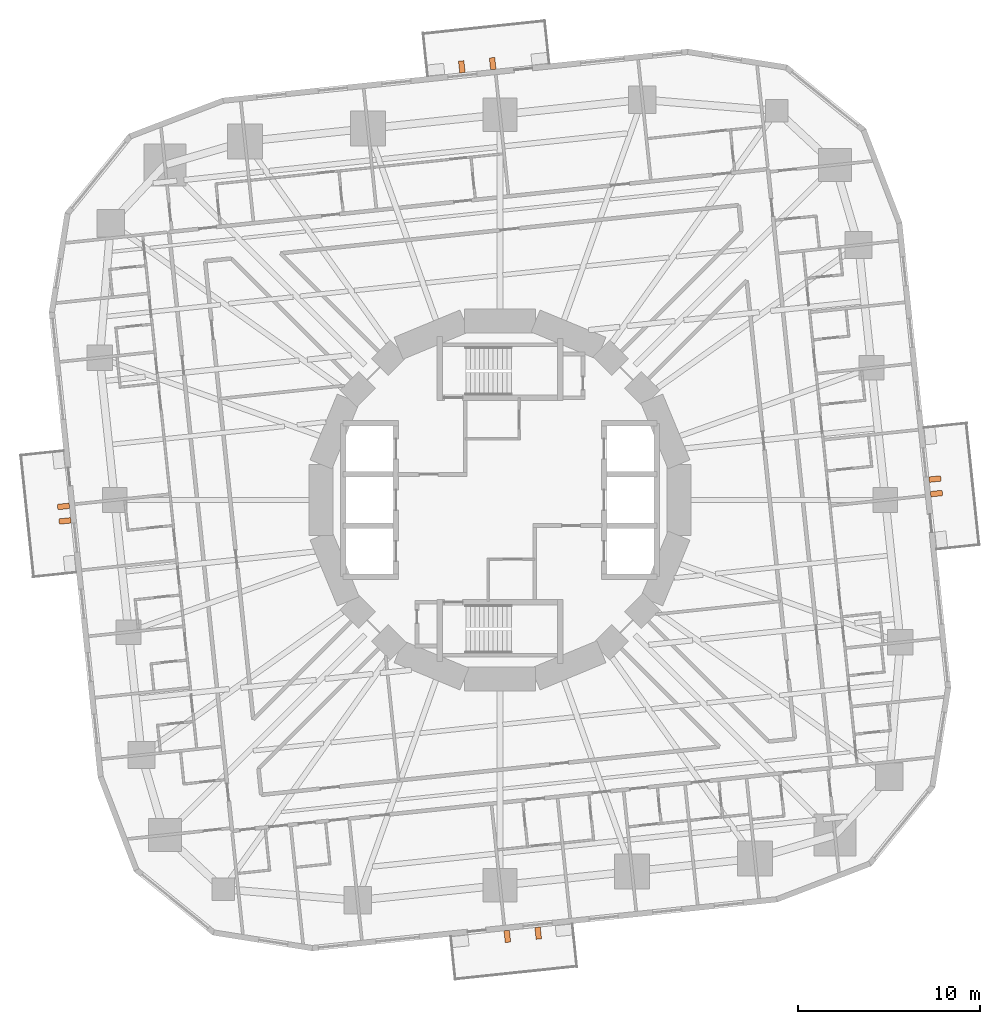
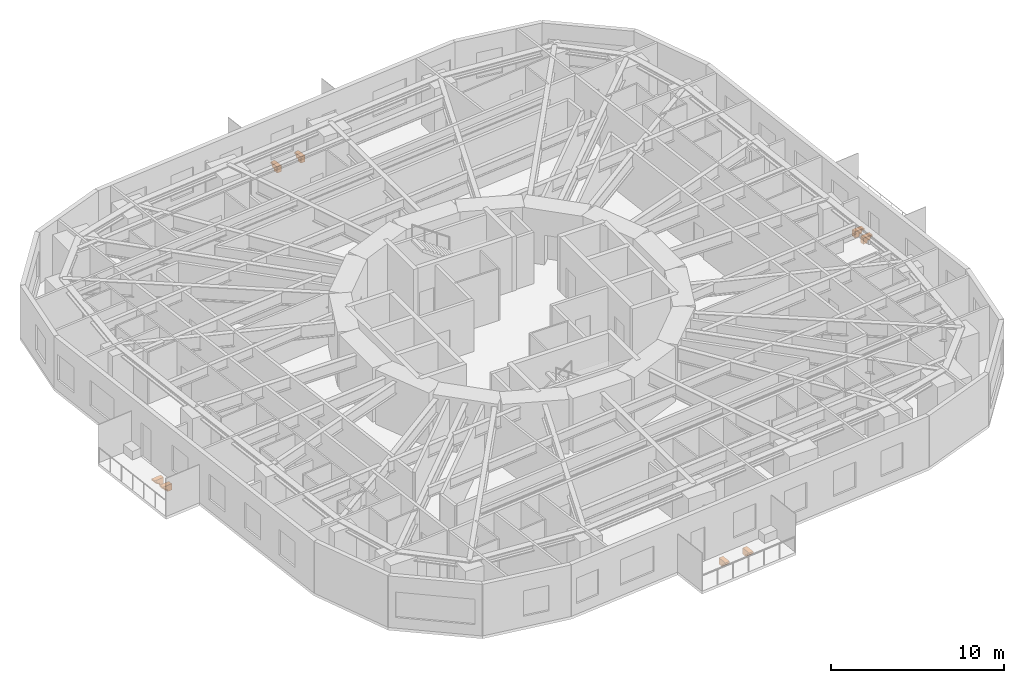
# One storey, part 13 of 13: 8 proxies.
"""IFC4 building model written with IfcOpenShell, lengths in metres."""

from ifc_helpers import new_model, si_unit, direction, frame, origin, place, context, subcontext, project, spatial, polyline, outline, extrude, material, type_object, element, save


model = new_model("IFC4")

# Units and contexts
model_context = context("Model", 3, precision=1e-05, world=origin(), true_north=direction((0.0, 1.0)))
body_context = subcontext(model_context, "Body", "Model", "MODEL_VIEW")
ifc_project = project(units=[si_unit("LENGTHUNIT", "METRE"), si_unit("AREAUNIT", "SQUARE_METRE"), si_unit("VOLUMEUNIT", "CUBIC_METRE"), si_unit("PLANEANGLEUNIT", "RADIAN"), si_unit("MASSUNIT", "GRAM", prefix="KILO")], contexts=[model_context])

# Site, building, storey
site_placement = place(None, origin())
site = spatial("IfcSite", under=ifc_project, at=site_placement, CompositionType="ELEMENT")
building_placement = place(site_placement, origin())
building = spatial("IfcBuilding", under=site, at=building_placement, Name="Nakasero Lantern House", CompositionType="ELEMENT")
storey_placement = place(building_placement, frame((0.0, 0.0, 91.300048828125)))
storey = spatial("IfcBuildingStorey", under=building, at=storey_placement, Name="L22", CompositionType="ELEMENT", Elevation=91.300048828125)

# Proxies
ifc_material = material(Name="Concrete C40/50 precast", Category="concrete")
building_element_proxy_type = type_object("IfcBuildingElementProxyType", Name="Balcony bracket 300", PredefinedType="USERDEFINED", material=ifc_material)
for number, where, z_axis, x_axis, name in (
    (1, (23.595947265625, 0.318115234375, -0.199951171875), (0.0, 0.0, 1.0), (0.994521895, 0.104528463, 0.0), "Balcony bracket L22 0A"),
    (2, (23.512451171875, 1.11376953125, -0.199951171875), (0.0, 0.0, 1.0), (0.994521895, 0.104528463, 0.0), "Balcony bracket L22 0B"),
    (3, (-0.367919921875, 23.5908203125, -0.199951171875), (0.0, 0.0, 1.0), (-0.104528463, 0.994521895, 0.0), "Balcony bracket L22 1A"),
    (4, (-2.05859375, 23.4130859375, -0.199951171875), (0.0, 0.0, 1.0), (-0.104528463, 0.994521895, 0.0), "Balcony bracket L22 1B"),
    (5, (-23.595947265625, -0.318115234375, -0.199951171875), (0.0, 0.0, 1.0), (-0.994521895, -0.104528463, 0.0), "Balcony bracket L22 2A"),
    (6, (-23.512451171875, -1.11376953125, -0.199951171875), (0.0, 0.0, 1.0), (-0.994521895, -0.104528463, 0.0), "Balcony bracket L22 2B"),
    (7, (0.367919921875, -23.5908203125, -0.199951171875), (0.0, 0.0, 1.0), (0.104528463, -0.994521895, 0.0), "Balcony bracket L22 3A"),
    (8, (2.05859375, -23.4130859375, -0.199951171875), (0.0, 0.0, 1.0), (0.104528463, -0.994521895, 0.0), "Balcony bracket L22 3B"),
):
    element("IfcBuildingElementProxy", number, at=place(storey_placement, frame(where, z_axis=z_axis, x_axis=x_axis)), inside=storey, type_object=building_element_proxy_type, Name=name, ObjectType="BALCONY BRACKET", PredefinedType="USERDEFINED", context=body_context, shape_type="SweptSolid", body=[
        extrude(outline(polyline([(0.0, 0.0), (0.64990234375, 0.0), (0.64990234375, -0.1201171875), (0.5, -0.1201171875), (0.5, -0.280029296875), (0.300048828125, -0.280029296875), (0.300048828125, -0.43994140625), (0.0, -0.43994140625), (0.0, 0.0)])), frame((0.0, 0.14990234375, 0.0), z_axis=(0.0, -1.0, 0.0), x_axis=(1.0, 0.0, 0.0)), (0.0, 0.0, 1.0), 0.300048828125),
    ])

save(model, "model.ifc")
